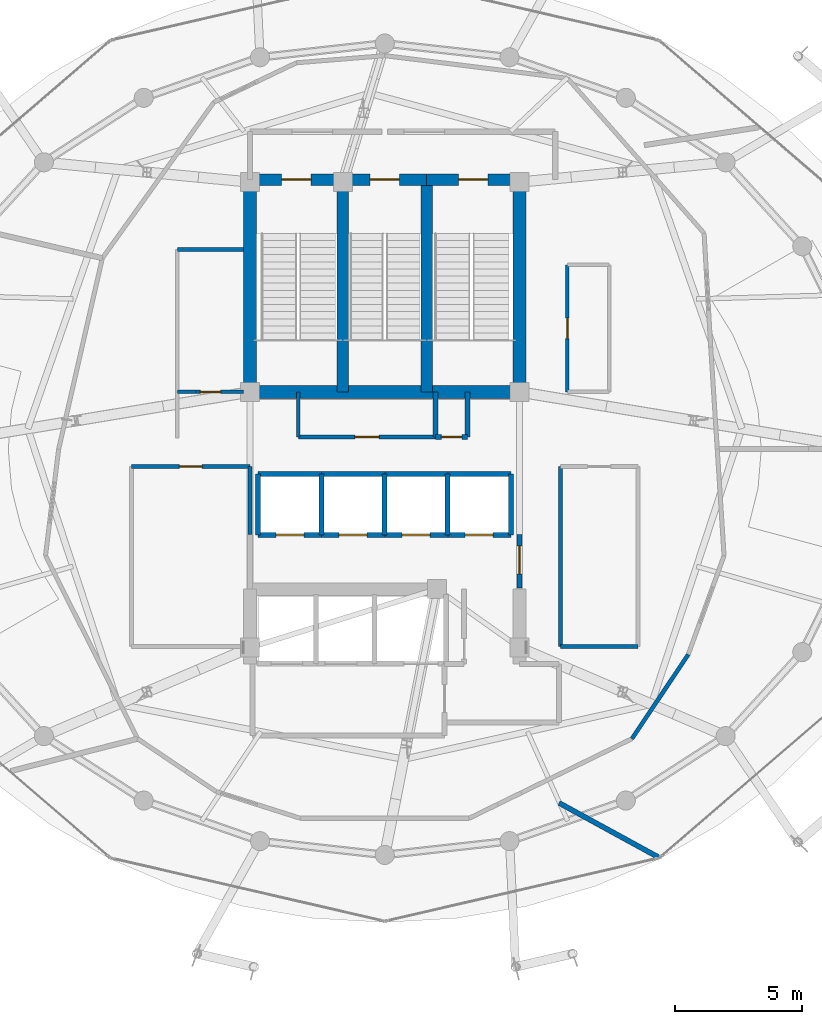
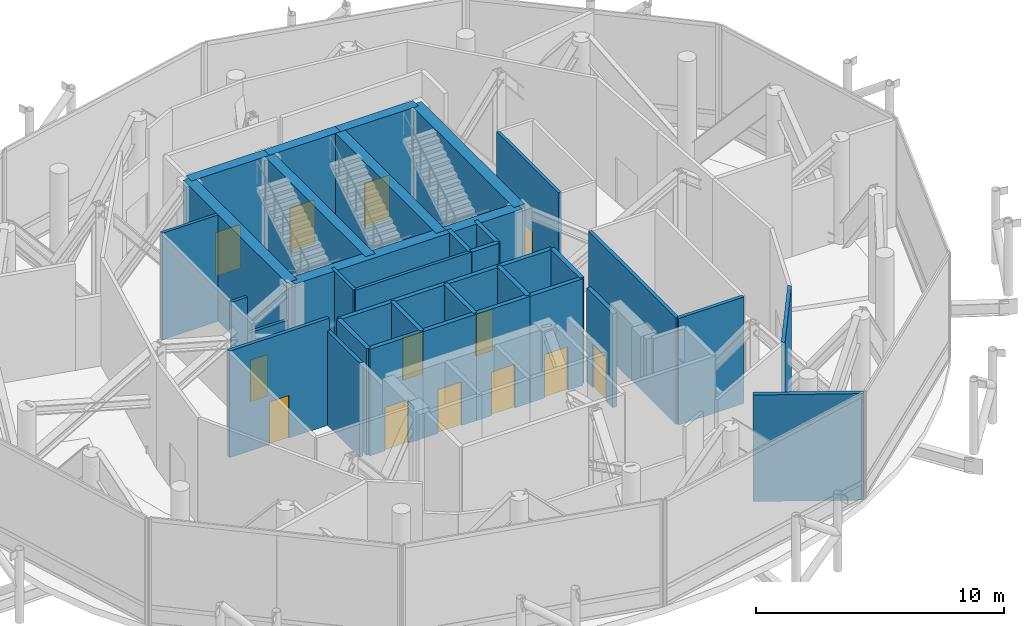
# One storey, part 19 of 26: 37 walls, 13 doors, 13 openings.
"""IFC4 building model written with IfcOpenShell, lengths in metres."""

from ifc_helpers import new_model, si_unit, direction, frame, frame_2d, origin, place, context, subcontext, project, spatial, rectangle, extrude, material, layer, layer_set, type_object, element, fill, save


model = new_model("IFC4")

# Units and contexts
model_context = context("Model", 3, precision=1e-05, world=origin(), true_north=direction((0.0, 1.0)))
body_context = subcontext(model_context, "Body", "Model", "MODEL_VIEW")
ifc_project = project(units=[si_unit("LENGTHUNIT", "METRE"), si_unit("AREAUNIT", "SQUARE_METRE"), si_unit("VOLUMEUNIT", "CUBIC_METRE"), si_unit("PLANEANGLEUNIT", "RADIAN"), si_unit("MASSUNIT", "GRAM", prefix="KILO")], contexts=[model_context])

# Site, building, storey
site_placement = place(None, origin())
site = spatial("IfcSite", under=ifc_project, at=site_placement, CompositionType="ELEMENT")
building_placement = place(site_placement, origin())
building = spatial("IfcBuilding", under=site, at=building_placement, Name="Nuhasar Tower", CompositionType="ELEMENT")
storey_placement = place(building_placement, frame((0.0, 0.0, 301.199951171875)))
storey = spatial("IfcBuildingStorey", under=building, at=storey_placement, Name="L75", CompositionType="ELEMENT", Elevation=301.199951171875)

# Wall, opening, door
ifc_material_1 = material(Name="Concrete C50/60", Category="concrete")
ifc_layer_1 = layer(ifc_material_1, 0.449951171875)
ifc_layer_set_1 = layer_set([ifc_layer_1], Name="Concrete C50/60")
wall_type_1 = type_object("IfcWallType", Name="WL-CORE-450", PredefinedType="SHEAR", material=ifc_layer_set_1)
wall_1_placement = place(storey_placement, frame((37.35009765625, 37.39990234375, 0.0), z_axis=(0.0, 0.0, 1.0), x_axis=(-1.0, 0.0, 0.0)))
wall_1 = element("IfcWall", 1, at=wall_1_placement, inside=storey, type_object=wall_type_1, Name="L75 Stairwell Shear Wall ST01-N", PredefinedType="SHEAR", context=body_context, shape_type="SweptSolid", body=[
    extrude(rectangle(XDim=3.650146484375, YDim=0.449951171875, at=frame_2d((1.8251953125, 0.0))), origin(), (0.0, 0.0, 1.0), 5.25),
])
opening_1_placement = place(wall_1_placement, frame((1.25, 0.0, 0.0)))
opening_1 = element("IfcOpeningElement", 2, at=opening_1_placement, cuts=wall_1, Name="Opening DS-01", PredefinedType="OPENING", context=body_context, shape_type="SweptSolid", body=[
    extrude(rectangle(XDim=1.14990234375, YDim=2.14990234375, at=frame_2d((0.574951171875, 1.074951171875))), frame((0.0, 0.23486328125, 0.0), z_axis=(0.0, -1.0, 0.0), x_axis=(1.0, 0.0, 0.0)), (0.0, 0.0, 1.0), 0.469970703125),
])
ifc_material_2 = material(Name="Steel S355", Category="steel")
door_type_1 = type_object("IfcDoorType", Name="DR-STAIR-FD120-1150", OperationType="NOTDEFINED", PredefinedType="DOOR", material=ifc_material_2)
door_1_placement = place(opening_1_placement, origin())
door_1 = element("IfcDoor", 3, at=door_1_placement, inside=storey, type_object=door_type_1, Name="L75 Exit Stair ST-01 Door", OperationType="SINGLE_SWING_RIGHT", OverallHeight=2.14990234375, OverallWidth=1.14990234375, PredefinedType="DOOR", context=body_context, shape_type="SweptSolid", body=[
    extrude(rectangle(XDim=1.14990234375, YDim=2.14990234375, at=frame_2d((0.574951171875, 1.074951171875))), frame((0.0, 0.02490234375, 0.0), z_axis=(0.0, -1.0, 0.0), x_axis=(1.0, 0.0, 0.0)), (0.0, 0.0, 1.0), 0.050048828125),
])
fill(opening_1, door_1)

# Wall
wall_2_placement = place(storey_placement, frame((37.35009765625, 29.050048828125, 0.0), z_axis=(0.0, 0.0, 1.0), x_axis=(0.0, 1.0, 0.0)))
element("IfcWall", 4, at=wall_2_placement, inside=storey, type_object=wall_type_1, Name="L75 Stairwell Shear Wall ST01-E", PredefinedType="SHEAR", context=body_context, shape_type="SweptSolid", body=[
    extrude(rectangle(XDim=8.349853515625, YDim=0.449951171875, at=frame_2d((4.1748046875, 0.0))), origin(), (0.0, 0.0, 1.0), 5.25),
])

# Wall, opening, door
wall_3_placement = place(storey_placement, frame((40.64990234375, 37.39990234375, 0.0), z_axis=(0.0, 0.0, 1.0), x_axis=(-1.0, 0.0, 0.0)))
wall_3 = element("IfcWall", 5, at=wall_3_placement, inside=storey, type_object=wall_type_1, Name="L75 Stairwell Shear Wall ST03-N", PredefinedType="SHEAR", context=body_context, shape_type="SweptSolid", body=[
    extrude(rectangle(XDim=3.2998046875, YDim=0.449951171875, at=frame_2d((1.64990234375, 0.0))), origin(), (0.0, 0.0, 1.0), 5.25),
])
opening_2_placement = place(wall_3_placement, frame((1.074951171875, 0.0, 0.0)))
opening_2 = element("IfcOpeningElement", 6, at=opening_2_placement, cuts=wall_3, Name="Opening DS-01", PredefinedType="OPENING", context=body_context, shape_type="SweptSolid", body=[
    extrude(rectangle(XDim=1.14990234375, YDim=2.14990234375, at=frame_2d((0.574951171875, 1.074951171875))), frame((0.0, 0.23486328125, 0.0), z_axis=(0.0, -1.0, 0.0), x_axis=(1.0, 0.0, 0.0)), (0.0, 0.0, 1.0), 0.469970703125),
])
door_2_placement = place(opening_2_placement, origin())
door_2 = element("IfcDoor", 7, at=door_2_placement, inside=storey, type_object=door_type_1, Name="L75 Exit Stair ST-03 Door", OperationType="SINGLE_SWING_RIGHT", OverallHeight=2.14990234375, OverallWidth=1.14990234375, PredefinedType="DOOR", context=body_context, shape_type="SweptSolid", body=[
    extrude(rectangle(XDim=1.14990234375, YDim=2.14990234375, at=frame_2d((0.574951171875, 1.074951171875))), frame((0.0, 0.02490234375, 0.0), z_axis=(0.0, -1.0, 0.0), x_axis=(1.0, 0.0, 0.0)), (0.0, 0.0, 1.0), 0.050048828125),
])
fill(opening_2, door_2)

# Wall
wall_4_placement = place(storey_placement, frame((40.64990234375, 29.050048828125, 0.0), z_axis=(0.0, 0.0, 1.0), x_axis=(0.0, 1.0, 0.0)))
element("IfcWall", 8, at=wall_4_placement, inside=storey, type_object=wall_type_1, Name="L75 Stairwell Shear Wall ST03-E", PredefinedType="SHEAR", context=body_context, shape_type="SweptSolid", body=[
    extrude(rectangle(XDim=8.349853515625, YDim=0.449951171875, at=frame_2d((4.1748046875, 0.0))), origin(), (0.0, 0.0, 1.0), 5.25),
])

# Wall, opening, door
wall_5_placement = place(storey_placement, frame((44.300048828125, 37.39990234375, 0.0), z_axis=(0.0, 0.0, 1.0), x_axis=(-1.0, 0.0, 0.0)))
wall_5 = element("IfcWall", 9, at=wall_5_placement, inside=storey, type_object=wall_type_1, Name="L75 Stairwell Shear Wall ST02-N", PredefinedType="SHEAR", context=body_context, shape_type="SweptSolid", body=[
    extrude(rectangle(XDim=3.650146484375, YDim=0.449951171875, at=frame_2d((1.8251953125, 0.0))), origin(), (0.0, 0.0, 1.0), 5.25),
])
opening_3_placement = place(wall_5_placement, frame((1.25, 0.0, 0.0)))
opening_3 = element("IfcOpeningElement", 10, at=opening_3_placement, cuts=wall_5, Name="Opening DS-01", PredefinedType="OPENING", context=body_context, shape_type="SweptSolid", body=[
    extrude(rectangle(XDim=1.14990234375, YDim=2.14990234375, at=frame_2d((0.574951171875, 1.074951171875))), frame((0.0, 0.23486328125, 0.0), z_axis=(0.0, -1.0, 0.0), x_axis=(1.0, 0.0, 0.0)), (0.0, 0.0, 1.0), 0.469970703125),
])
door_3_placement = place(opening_3_placement, origin())
door_3 = element("IfcDoor", 11, at=door_3_placement, inside=storey, type_object=door_type_1, Name="L75 Exit Stair ST-02 Door", OperationType="SINGLE_SWING_LEFT", OverallHeight=2.14990234375, OverallWidth=1.14990234375, PredefinedType="DOOR", context=body_context, shape_type="SweptSolid", body=[
    extrude(rectangle(XDim=1.14990234375, YDim=2.14990234375, at=frame_2d((0.574951171875, 1.074951171875))), frame((0.0, 0.02490234375, 0.0), z_axis=(0.0, -1.0, 0.0), x_axis=(1.0, 0.0, 0.0)), (0.0, 0.0, 1.0), 0.050048828125),
])
fill(opening_3, door_3)

# Walls
ifc_layer_2 = layer(ifc_material_1, 0.5)
ifc_layer_set_2 = layer_set([ifc_layer_2], Name="Concrete C50/60")
wall_type_2 = type_object("IfcWallType", Name="WL-CORE-500", PredefinedType="SHEAR", material=ifc_layer_set_2)
for number, where, z_axis, x_axis, name in (
    (12, (33.699951171875, 29.050048828125, 0.0), (0.0, 0.0, 1.0), (0.0, 1.0, 0.0), "L75 Core Shear Wall CW-NW CW-500"),
    (13, (44.300048828125, 29.050048828125, 0.0), (0.0, 0.0, 1.0), (0.0, 1.0, 0.0), "L75 Core Shear Wall CW-NE CW-500"),
):
    element("IfcWall", number, at=place(storey_placement, frame(where, z_axis=z_axis, x_axis=x_axis)), inside=storey, type_object=wall_type_2, Name=name, PredefinedType="SHEAR", context=body_context, shape_type="SweptSolid", body=[
        extrude(rectangle(XDim=8.349853515625, YDim=0.5, at=frame_2d((4.1748046875, 0.0))), origin(), (0.0, 0.0, 1.0), 5.25),
    ])
wall_6_placement = place(storey_placement, frame((33.699951171875, 29.050048828125, 0.0), z_axis=(0.0, 0.0, 1.0), x_axis=(1.0, 0.0, 0.0)))
element("IfcWall", 14, at=wall_6_placement, inside=storey, type_object=wall_type_2, Name="L75 Core Shear Wall CW-N1 CW-500", PredefinedType="SHEAR", context=body_context, shape_type="SweptSolid", body=[
    extrude(rectangle(XDim=10.60009765625, YDim=0.5, at=frame_2d((5.300048828125, 0.0))), origin(), (0.0, 0.0, 1.0), 5.25),
])
ifc_material_3 = material(Name="Gypsum Board", Category="gypsum")
ifc_layer_3 = layer(ifc_material_3, 0.159912109375)
ifc_layer_set_3 = layer_set([ifc_layer_3], Name="Gypsum Board")
wall_type_3 = type_object("IfcWallType", Name="WL-CORR-160", PredefinedType="PARTITIONING", material=ifc_layer_set_3)
wall_7_placement = place(storey_placement, frame((33.699951171875, 23.449951171875, 0.0), z_axis=(0.0, 0.0, 1.0), x_axis=(0.0, 1.0, 0.0)))
element("IfcWall", 15, at=wall_7_placement, inside=storey, type_object=wall_type_3, Name="L75 Interior Partition RECL-B1-E", PredefinedType="PARTITIONING", context=body_context, shape_type="SweptSolid", body=[
    extrude(rectangle(XDim=2.670166015625, YDim=0.159912109375, at=frame_2d((1.3349609375, 0.0))), origin(), (0.0, 0.0, 1.0), 4.635009765625),
])

# Wall, opening, door
wall_8_placement = place(storey_placement, frame((33.699951171875, 26.1201171875, 0.0), z_axis=(0.0, 0.0, 1.0), x_axis=(-1.0, 0.0, 0.0)))
wall_8 = element("IfcWall", 16, at=wall_8_placement, inside=storey, type_object=wall_type_3, Name="L75 Interior Partition RECL-B1-N", PredefinedType="PARTITIONING", context=body_context, shape_type="SweptSolid", body=[
    extrude(rectangle(XDim=4.64990234375, YDim=0.159912109375, at=frame_2d((2.324951171875, 0.0))), origin(), (0.0, 0.0, 1.0), 5.25),
])
opening_4_placement = place(wall_8_placement, frame((1.875, 0.0, 0.0)))
opening_4 = element("IfcOpeningElement", 17, at=opening_4_placement, cuts=wall_8, Name="Opening DR-01", PredefinedType="OPENING", context=body_context, shape_type="SweptSolid", body=[
    extrude(rectangle(XDim=0.89990234375, YDim=2.10009765625, at=frame_2d((0.449951171875, 1.050048828125))), frame((0.0, 0.08984375, 0.0), z_axis=(0.0, -1.0, 0.0), x_axis=(1.0, 0.0, 0.0)), (0.0, 0.0, 1.0), 0.179931640625),
])
ifc_material_4 = material(Name="Timber Oak", Category="wood")
door_type_2 = type_object("IfcDoorType", Name="DR-ROOM-900", OperationType="NOTDEFINED", PredefinedType="DOOR", material=ifc_material_4)
door_4_placement = place(opening_4_placement, origin())
door_4 = element("IfcDoor", 18, at=door_4_placement, inside=storey, type_object=door_type_2, Name="L75 Butler Store Door", OperationType="SINGLE_SWING_LEFT", OverallHeight=2.10009765625, OverallWidth=0.89990234375, PredefinedType="DOOR", context=body_context, shape_type="SweptSolid", body=[
    extrude(rectangle(XDim=0.89990234375, YDim=2.10009765625, at=frame_2d((0.449951171875, 1.050048828125))), frame((0.0, 0.02490234375, 0.0), z_axis=(0.0, -1.0, 0.0), x_axis=(1.0, 0.0, 0.0)), (0.0, 0.0, 1.0), 0.050048828125),
])
fill(opening_4, door_4)

# Walls
wall_9_placement = place(storey_placement, frame((45.89990234375, 19.050048828125, 0.0), z_axis=(0.0, 0.0, 1.0), x_axis=(1.0, 0.0, 0.0)))
element("IfcWall", 19, at=wall_9_placement, inside=storey, type_object=wall_type_3, Name="L75 Interior Partition RECL-B2-S", PredefinedType="PARTITIONING", context=body_context, shape_type="SweptSolid", body=[
    extrude(rectangle(XDim=3.050048828125, YDim=0.159912109375, at=frame_2d((1.52490234375, 0.0))), origin(), (0.0, 0.0, 1.0), 5.25),
])
wall_10_placement = place(storey_placement, frame((45.89990234375, 19.050048828125, 0.0), z_axis=(0.0, 0.0, 1.0), x_axis=(0.0, 1.0, 0.0)))
element("IfcWall", 20, at=wall_10_placement, inside=storey, type_object=wall_type_3, Name="L75 Interior Partition RECL-B2-W", PredefinedType="PARTITIONING", context=body_context, shape_type="SweptSolid", body=[
    extrude(rectangle(XDim=7.070068359375, YDim=0.159912109375, at=frame_2d((3.53515625, 0.0))), origin(), (0.0, 0.0, 1.0), 5.25),
])
wall_11_placement = place(storey_placement, frame((48.714111328125, 15.41796875, 0.0), z_axis=(0.0, 0.0, 1.0), x_axis=(0.556056751682, 0.831144324958, 0.0)))
element("IfcWall", 21, at=wall_11_placement, inside=storey, type_object=wall_type_3, Name="L75 Interior Partition CORR-42", PredefinedType="PARTITIONING", context=body_context, shape_type="SweptSolid", body=[
    extrude(rectangle(XDim=3.98486328125, YDim=0.159912109375, at=frame_2d((1.992431640625, 0.0))), origin(), (0.0, 0.0, 1.0), 5.25),
])

# Wall, opening, door
ifc_material_5 = material(Name="Concrete C45/55", Category="concrete")
ifc_layer_4 = layer(ifc_material_5, 0.199951171875)
ifc_layer_set_4 = layer_set([ifc_layer_4], Name="Concrete C45/55")
wall_type_4 = type_object("IfcWallType", Name="WL-LOBBY-200", PredefinedType="SOLIDWALL", material=ifc_layer_set_4)
wall_12_placement = place(storey_placement, frame((44.300048828125, 21.35009765625, 0.0), z_axis=(0.0, 0.0, 1.0), x_axis=(0.0, 1.0, 0.0)))
wall_12 = element("IfcWall", 22, at=wall_12_placement, inside=storey, type_object=wall_type_4, Name="L75 Interior Partition LLBH-E", PredefinedType="SOLIDWALL", context=body_context, shape_type="SweptSolid", body=[
    extrude(rectangle(XDim=2.099853515625, YDim=0.199951171875, at=frame_2d((1.0498046875, 0.0))), origin(), (0.0, 0.0, 1.0), 4.635009765625),
])
opening_5_placement = place(wall_12_placement, frame((0.550048828125, 0.0, 0.0)))
opening_5 = element("IfcOpeningElement", 23, at=opening_5_placement, cuts=wall_12, Name="Opening DS-02", PredefinedType="OPENING", context=body_context, shape_type="SweptSolid", body=[
    extrude(rectangle(XDim=1.10009765625, YDim=2.14990234375, at=frame_2d((0.550048828125, 1.074951171875))), frame((0.0, 0.10986328125, 0.0), z_axis=(0.0, -1.0, 0.0), x_axis=(1.0, 0.0, 0.0)), (0.0, 0.0, 1.0), 0.219970703125),
])
door_type_3 = type_object("IfcDoorType", Name="DR-FFL-FD120-1100", OperationType="NOTDEFINED", PredefinedType="DOOR", material=ifc_material_2)
door_5_placement = place(opening_5_placement, origin())
door_5 = element("IfcDoor", 24, at=door_5_placement, inside=storey, type_object=door_type_3, Name="L75 High-Rise Lobby East Door", OperationType="SINGLE_SWING_RIGHT", OverallHeight=2.14990234375, OverallWidth=1.10009765625, PredefinedType="DOOR", context=body_context, shape_type="SweptSolid", body=[
    extrude(rectangle(XDim=1.10009765625, YDim=2.14990234375, at=frame_2d((0.550048828125, 1.074951171875))), frame((0.0, 0.02490234375, 0.0), z_axis=(0.0, -1.0, 0.0), x_axis=(1.0, 0.0, 0.0)), (0.0, 0.0, 1.0), 0.050048828125),
])
fill(opening_5, door_5)

# Walls
wall_13_placement = place(storey_placement, frame((45.85205078125, 12.89501953125, 0.0), z_axis=(0.0, 0.0, 1.0), x_axis=(0.877449312493, -0.479669369468, 0.0)))
element("IfcWall", 25, at=wall_13_placement, inside=storey, type_object=wall_type_4, Name="L75 Interior Partition WRAD-40", PredefinedType="SOLIDWALL", context=body_context, shape_type="SweptSolid", body=[
    extrude(rectangle(XDim=4.45703125, YDim=0.199951171875, at=frame_2d((2.228515625, 0.0))), origin(), (0.0, 0.0, 1.0), 5.25),
])
ifc_layer_5 = layer(ifc_material_5, 0.199951171875)
ifc_layer_set_5 = layer_set([ifc_layer_5], Name="Concrete C45/55")
wall_type_5 = type_object("IfcWallType", Name="WL-SHAFT-200", PredefinedType="SOLIDWALL", material=ifc_layer_set_5)
for number, where, z_axis, x_axis, name in (
    (26, (41.0, 27.280029296875, 0.0), (0.0, 0.0, 1.0), (0.0, 1.0, 0.0), "L75 Interior Partition RSRN-W"),
    (27, (42.260009765625, 27.280029296875, 0.0), (0.0, 0.0, 1.0), (0.0, 1.0, 0.0), "L75 Interior Partition RSRN-E"),
):
    element("IfcWall", number, at=place(storey_placement, frame(where, z_axis=z_axis, x_axis=x_axis)), inside=storey, type_object=wall_type_5, Name=name, PredefinedType="SOLIDWALL", context=body_context, shape_type="SweptSolid", body=[
        extrude(rectangle(XDim=1.77001953125, YDim=0.199951171875, at=frame_2d((0.885009765625, 0.0))), origin(), (0.0, 0.0, 1.0), 5.25),
    ])

# Wall, opening, door
wall_14_placement = place(storey_placement, frame((41.0, 27.280029296875, 0.0), z_axis=(0.0, 0.0, 1.0), x_axis=(1.0, 0.0, 0.0)))
wall_14 = element("IfcWall", 28, at=wall_14_placement, inside=storey, type_object=wall_type_5, Name="L75 Interior Partition RSRN-S", PredefinedType="SOLIDWALL", context=body_context, shape_type="SweptSolid", body=[
    extrude(rectangle(XDim=1.260009765625, YDim=0.199951171875, at=frame_2d((0.6298828125, 0.0))), origin(), (0.0, 0.0, 1.0), 5.25),
])
opening_6_placement = place(wall_14_placement, frame((0.22998046875, 0.0, 0.0)))
opening_6 = element("IfcOpeningElement", 29, at=opening_6_placement, cuts=wall_14, Name="Opening DM-01", PredefinedType="OPENING", context=body_context, shape_type="SweptSolid", body=[
    extrude(rectangle(XDim=0.800048828125, YDim=2.050048828125, at=frame_2d((0.39990234375, 1.02490234375))), frame((0.0, 0.10986328125, 0.0), z_axis=(0.0, -1.0, 0.0), x_axis=(1.0, 0.0, 0.0)), (0.0, 0.0, 1.0), 0.219970703125),
])
door_type_4 = type_object("IfcDoorType", Name="DR-RISER-FD60-800", OperationType="NOTDEFINED", PredefinedType="DOOR", material=ifc_material_2)
door_6_placement = place(opening_6_placement, origin())
door_6 = element("IfcDoor", 30, at=door_6_placement, inside=storey, type_object=door_type_4, Name="L75 North Smoke Riser Door", OperationType="SINGLE_SWING_RIGHT", OverallHeight=2.050048828125, OverallWidth=0.800048828125, PredefinedType="DOOR", context=body_context, shape_type="SweptSolid", body=[
    extrude(rectangle(XDim=0.800048828125, YDim=2.050048828125, at=frame_2d((0.39990234375, 1.02490234375))), frame((0.0, 0.02490234375, 0.0), z_axis=(0.0, -1.0, 0.0), x_axis=(1.0, 0.0, 0.0)), (0.0, 0.0, 1.0), 0.050048828125),
])
fill(opening_6, door_6)

wall_15_placement = place(storey_placement, frame((34.02001953125, 23.419921875, 0.0), z_axis=(0.0, 0.0, 1.0), x_axis=(1.0, 0.0, 0.0)))
wall_15 = element("IfcWall", 31, at=wall_15_placement, inside=storey, type_object=wall_type_5, Name="L75 Interior Partition SHF-PL-H01-S", PredefinedType="SOLIDWALL", context=body_context, shape_type="SweptSolid", body=[
    extrude(rectangle(XDim=2.5, YDim=0.199951171875, at=frame_2d((1.25, 0.0))), origin(), (0.0, 0.0, 1.0), 5.25),
])
opening_7_placement = place(wall_15_placement, frame((0.699951171875, 0.0, 0.0)))
opening_7 = element("IfcOpeningElement", 32, at=opening_7_placement, cuts=wall_15, Name="Opening LD-H01", PredefinedType="OPENING", context=body_context, shape_type="SweptSolid", body=[
    extrude(rectangle(XDim=1.10009765625, YDim=2.14990234375, at=frame_2d((0.550048828125, 1.074951171875))), frame((0.0, 0.10986328125, 0.0), z_axis=(0.0, -1.0, 0.0), x_axis=(1.0, 0.0, 0.0)), (0.0, 0.0, 1.0), 0.219970703125),
])
ifc_material_6 = material(Name="Stainless Steel 316L", Category="steel")
door_type_5 = type_object("IfcDoorType", Name="LD-PAX-1100", OperationType="DOUBLE_DOOR_SLIDING", PredefinedType="DOOR", material=ifc_material_6)
door_7_placement = place(opening_7_placement, origin())
door_7 = element("IfcDoor", 33, at=door_7_placement, inside=storey, type_object=door_type_5, Name="L75 Lift Landing Door PL-H01", OperationType="DOUBLE_DOOR_SLIDING", OverallHeight=2.14990234375, OverallWidth=1.10009765625, PredefinedType="DOOR", context=body_context, shape_type="SweptSolid", body=[
    extrude(rectangle(XDim=1.10009765625, YDim=2.14990234375, at=frame_2d((0.550048828125, 1.074951171875))), frame((0.0, 0.02490234375, 0.0), z_axis=(0.0, -1.0, 0.0), x_axis=(1.0, 0.0, 0.0)), (0.0, 0.0, 1.0), 0.050048828125),
])
fill(opening_7, door_7)

# Walls
wall_16_placement = place(storey_placement, frame((34.02001953125, 25.830078125, 0.0), z_axis=(0.0, 0.0, 1.0), x_axis=(1.0, 0.0, 0.0)))
element("IfcWall", 34, at=wall_16_placement, inside=storey, type_object=wall_type_5, Name="L75 Interior Partition SHF-PL-H01-N", PredefinedType="SOLIDWALL", context=body_context, shape_type="SweptSolid", body=[
    extrude(rectangle(XDim=2.5, YDim=0.199951171875, at=frame_2d((1.25, 0.0))), origin(), (0.0, 0.0, 1.0), 5.25),
])
for number, where, z_axis, x_axis, name in (
    (35, (34.02001953125, 23.419921875, 0.0), (0.0, 0.0, 1.0), (0.0, 1.0, 0.0), "L75 Interior Partition SHF-PL-H01-W"),
    (36, (36.510009765625, 23.419921875, 0.0), (0.0, 0.0, 1.0), (0.0, 1.0, 0.0), "L75 Interior Partition SHF-PL-H01-E"),
):
    element("IfcWall", number, at=place(storey_placement, frame(where, z_axis=z_axis, x_axis=x_axis)), inside=storey, type_object=wall_type_5, Name=name, PredefinedType="SOLIDWALL", context=body_context, shape_type="SweptSolid", body=[
        extrude(rectangle(XDim=2.41015625, YDim=0.199951171875, at=frame_2d((1.205078125, 0.0))), origin(), (0.0, 0.0, 1.0), 5.25),
    ])

# Wall, opening, door
wall_17_placement = place(storey_placement, frame((36.5, 23.419921875, 0.0), z_axis=(0.0, 0.0, 1.0), x_axis=(1.0, 0.0, 0.0)))
wall_17 = element("IfcWall", 37, at=wall_17_placement, inside=storey, type_object=wall_type_5, Name="L75 Interior Partition SHF-PL-H02-S", PredefinedType="SOLIDWALL", context=body_context, shape_type="SweptSolid", body=[
    extrude(rectangle(XDim=2.5, YDim=0.199951171875, at=frame_2d((1.25, 0.0))), origin(), (0.0, 0.0, 1.0), 5.25),
])
opening_8_placement = place(wall_17_placement, frame((0.699951171875, 0.0, 0.0)))
opening_8 = element("IfcOpeningElement", 38, at=opening_8_placement, cuts=wall_17, Name="Opening LD-H02", PredefinedType="OPENING", context=body_context, shape_type="SweptSolid", body=[
    extrude(rectangle(XDim=1.10009765625, YDim=2.14990234375, at=frame_2d((0.550048828125, 1.074951171875))), frame((0.0, 0.10986328125, 0.0), z_axis=(0.0, -1.0, 0.0), x_axis=(1.0, 0.0, 0.0)), (0.0, 0.0, 1.0), 0.219970703125),
])
door_8_placement = place(opening_8_placement, origin())
door_8 = element("IfcDoor", 39, at=door_8_placement, inside=storey, type_object=door_type_5, Name="L75 Lift Landing Door PL-H02", OperationType="DOUBLE_DOOR_SLIDING", OverallHeight=2.14990234375, OverallWidth=1.10009765625, PredefinedType="DOOR", context=body_context, shape_type="SweptSolid", body=[
    extrude(rectangle(XDim=1.10009765625, YDim=2.14990234375, at=frame_2d((0.550048828125, 1.074951171875))), frame((0.0, 0.02490234375, 0.0), z_axis=(0.0, -1.0, 0.0), x_axis=(1.0, 0.0, 0.0)), (0.0, 0.0, 1.0), 0.050048828125),
])
fill(opening_8, door_8)

# Walls
wall_18_placement = place(storey_placement, frame((36.5, 25.830078125, 0.0), z_axis=(0.0, 0.0, 1.0), x_axis=(1.0, 0.0, 0.0)))
element("IfcWall", 40, at=wall_18_placement, inside=storey, type_object=wall_type_5, Name="L75 Interior Partition SHF-PL-H02-N", PredefinedType="SOLIDWALL", context=body_context, shape_type="SweptSolid", body=[
    extrude(rectangle(XDim=2.5, YDim=0.199951171875, at=frame_2d((1.25, 0.0))), origin(), (0.0, 0.0, 1.0), 5.25),
])
wall_19_placement = place(storey_placement, frame((38.989990234375, 23.419921875, 0.0), z_axis=(0.0, 0.0, 1.0), x_axis=(0.0, 1.0, 0.0)))
element("IfcWall", 41, at=wall_19_placement, inside=storey, type_object=wall_type_5, Name="L75 Interior Partition SHF-PL-H02-E", PredefinedType="SOLIDWALL", context=body_context, shape_type="SweptSolid", body=[
    extrude(rectangle(XDim=2.41015625, YDim=0.199951171875, at=frame_2d((1.205078125, 0.0))), origin(), (0.0, 0.0, 1.0), 5.25),
])

# Wall, opening, door
wall_20_placement = place(storey_placement, frame((38.97998046875, 23.419921875, 0.0), z_axis=(0.0, 0.0, 1.0), x_axis=(1.0, 0.0, 0.0)))
wall_20 = element("IfcWall", 42, at=wall_20_placement, inside=storey, type_object=wall_type_5, Name="L75 Interior Partition SHF-PL-H03-S", PredefinedType="SOLIDWALL", context=body_context, shape_type="SweptSolid", body=[
    extrude(rectangle(XDim=2.5, YDim=0.199951171875, at=frame_2d((1.25, 0.0))), origin(), (0.0, 0.0, 1.0), 5.25),
])
opening_9_placement = place(wall_20_placement, frame((0.699951171875, 0.0, 0.0)))
opening_9 = element("IfcOpeningElement", 43, at=opening_9_placement, cuts=wall_20, Name="Opening LD-H03", PredefinedType="OPENING", context=body_context, shape_type="SweptSolid", body=[
    extrude(rectangle(XDim=1.10009765625, YDim=2.14990234375, at=frame_2d((0.550048828125, 1.074951171875))), frame((0.0, 0.10986328125, 0.0), z_axis=(0.0, -1.0, 0.0), x_axis=(1.0, 0.0, 0.0)), (0.0, 0.0, 1.0), 0.219970703125),
])
door_9_placement = place(opening_9_placement, origin())
door_9 = element("IfcDoor", 44, at=door_9_placement, inside=storey, type_object=door_type_5, Name="L75 Lift Landing Door PL-H03", OperationType="DOUBLE_DOOR_SLIDING", OverallHeight=2.14990234375, OverallWidth=1.10009765625, PredefinedType="DOOR", context=body_context, shape_type="SweptSolid", body=[
    extrude(rectangle(XDim=1.10009765625, YDim=2.14990234375, at=frame_2d((0.550048828125, 1.074951171875))), frame((0.0, 0.02490234375, 0.0), z_axis=(0.0, -1.0, 0.0), x_axis=(1.0, 0.0, 0.0)), (0.0, 0.0, 1.0), 0.050048828125),
])
fill(opening_9, door_9)

# Walls
wall_21_placement = place(storey_placement, frame((38.97998046875, 25.830078125, 0.0), z_axis=(0.0, 0.0, 1.0), x_axis=(1.0, 0.0, 0.0)))
element("IfcWall", 45, at=wall_21_placement, inside=storey, type_object=wall_type_5, Name="L75 Interior Partition SHF-PL-H03-N", PredefinedType="SOLIDWALL", context=body_context, shape_type="SweptSolid", body=[
    extrude(rectangle(XDim=2.5, YDim=0.199951171875, at=frame_2d((1.25, 0.0))), origin(), (0.0, 0.0, 1.0), 5.25),
])
wall_22_placement = place(storey_placement, frame((41.469970703125, 23.419921875, 0.0), z_axis=(0.0, 0.0, 1.0), x_axis=(0.0, 1.0, 0.0)))
element("IfcWall", 46, at=wall_22_placement, inside=storey, type_object=wall_type_5, Name="L75 Interior Partition SHF-PL-H03-E", PredefinedType="SOLIDWALL", context=body_context, shape_type="SweptSolid", body=[
    extrude(rectangle(XDim=2.41015625, YDim=0.199951171875, at=frame_2d((1.205078125, 0.0))), origin(), (0.0, 0.0, 1.0), 5.25),
])

# Wall, opening, door
wall_23_placement = place(storey_placement, frame((41.4599609375, 23.419921875, 0.0), z_axis=(0.0, 0.0, 1.0), x_axis=(1.0, 0.0, 0.0)))
wall_23 = element("IfcWall", 47, at=wall_23_placement, inside=storey, type_object=wall_type_5, Name="L75 Interior Partition SHF-PL-H04-S", PredefinedType="SOLIDWALL", context=body_context, shape_type="SweptSolid", body=[
    extrude(rectangle(XDim=2.5, YDim=0.199951171875, at=frame_2d((1.25, 0.0))), origin(), (0.0, 0.0, 1.0), 5.25),
])
opening_10_placement = place(wall_23_placement, frame((0.699951171875, 0.0, 0.0)))
opening_10 = element("IfcOpeningElement", 48, at=opening_10_placement, cuts=wall_23, Name="Opening LD-H04", PredefinedType="OPENING", context=body_context, shape_type="SweptSolid", body=[
    extrude(rectangle(XDim=1.10009765625, YDim=2.14990234375, at=frame_2d((0.550048828125, 1.074951171875))), frame((0.0, 0.10986328125, 0.0), z_axis=(0.0, -1.0, 0.0), x_axis=(1.0, 0.0, 0.0)), (0.0, 0.0, 1.0), 0.219970703125),
])
door_10_placement = place(opening_10_placement, origin())
door_10 = element("IfcDoor", 49, at=door_10_placement, inside=storey, type_object=door_type_5, Name="L75 Lift Landing Door PL-H04", OperationType="DOUBLE_DOOR_SLIDING", OverallHeight=2.14990234375, OverallWidth=1.10009765625, PredefinedType="DOOR", context=body_context, shape_type="SweptSolid", body=[
    extrude(rectangle(XDim=1.10009765625, YDim=2.14990234375, at=frame_2d((0.550048828125, 1.074951171875))), frame((0.0, 0.02490234375, 0.0), z_axis=(0.0, -1.0, 0.0), x_axis=(1.0, 0.0, 0.0)), (0.0, 0.0, 1.0), 0.050048828125),
])
fill(opening_10, door_10)

# Walls
wall_24_placement = place(storey_placement, frame((41.4599609375, 25.830078125, 0.0), z_axis=(0.0, 0.0, 1.0), x_axis=(1.0, 0.0, 0.0)))
element("IfcWall", 50, at=wall_24_placement, inside=storey, type_object=wall_type_5, Name="L75 Interior Partition SHF-PL-H04-N", PredefinedType="SOLIDWALL", context=body_context, shape_type="SweptSolid", body=[
    extrude(rectangle(XDim=2.5, YDim=0.199951171875, at=frame_2d((1.25, 0.0))), origin(), (0.0, 0.0, 1.0), 5.25),
])
wall_25_placement = place(storey_placement, frame((43.9599609375, 23.419921875, 0.0), z_axis=(0.0, 0.0, 1.0), x_axis=(0.0, 1.0, 0.0)))
element("IfcWall", 51, at=wall_25_placement, inside=storey, type_object=wall_type_5, Name="L75 Interior Partition SHF-PL-H04-E", PredefinedType="SOLIDWALL", context=body_context, shape_type="SweptSolid", body=[
    extrude(rectangle(XDim=2.41015625, YDim=0.199951171875, at=frame_2d((1.205078125, 0.0))), origin(), (0.0, 0.0, 1.0), 5.25),
])
ifc_material_7 = material(Name="Concrete C40/50 precast", Category="concrete")
ifc_layer_6 = layer(ifc_material_7, 0.139892578125)
ifc_layer_set_6 = layer_set([ifc_layer_6], Name="Concrete C40/50 precast")
wall_type_6 = type_object("IfcWallType", Name="WL-WET-140", PredefinedType="PARTITIONING", material=ifc_layer_set_6)
wall_26_placement = place(storey_placement, frame((35.60009765625, 27.280029296875, 0.0), z_axis=(0.0, 0.0, 1.0), x_axis=(0.0, 1.0, 0.0)))
element("IfcWall", 52, at=wall_26_placement, inside=storey, type_object=wall_type_6, Name="L75 Interior Partition CSVC-W", PredefinedType="PARTITIONING", context=body_context, shape_type="SweptSolid", body=[
    extrude(rectangle(XDim=1.77001953125, YDim=0.139892578125, at=frame_2d((0.885009765625, 0.0))), origin(), (0.0, 0.0, 1.0), 5.25),
])

# Wall, opening, door
wall_27_placement = place(storey_placement, frame((35.60009765625, 27.280029296875, 0.0), z_axis=(0.0, 0.0, 1.0), x_axis=(1.0, 0.0, 0.0)))
wall_27 = element("IfcWall", 53, at=wall_27_placement, inside=storey, type_object=wall_type_6, Name="L75 Interior Partition CSVC-S", PredefinedType="PARTITIONING", context=body_context, shape_type="SweptSolid", body=[
    extrude(rectangle(XDim=5.39990234375, YDim=0.139892578125, at=frame_2d((2.699951171875, 0.0))), origin(), (0.0, 0.0, 1.0), 5.25),
])
opening_11_placement = place(wall_27_placement, frame((2.22509765625, 0.0, 0.0)))
opening_11 = element("IfcOpeningElement", 54, at=opening_11_placement, cuts=wall_27, Name="Opening DA-01", PredefinedType="OPENING", context=body_context, shape_type="SweptSolid", body=[
    extrude(rectangle(XDim=0.949951171875, YDim=2.10009765625, at=frame_2d((0.47509765625, 1.050048828125))), frame((0.0, 0.080078125, 0.0), z_axis=(0.0, -1.0, 0.0), x_axis=(1.0, 0.0, 0.0)), (0.0, 0.0, 1.0), 0.159912109375),
])
door_type_6 = type_object("IfcDoorType", Name="DR-ACCWC-950", OperationType="NOTDEFINED", PredefinedType="DOOR", material=ifc_material_4)
door_11_placement = place(opening_11_placement, origin())
door_11 = element("IfcDoor", 55, at=door_11_placement, inside=storey, type_object=door_type_6, Name="L75 Core Accessible Restroom Door", OperationType="SINGLE_SWING_RIGHT", OverallHeight=2.10009765625, OverallWidth=0.949951171875, PredefinedType="DOOR", context=body_context, shape_type="SweptSolid", body=[
    extrude(rectangle(XDim=0.949951171875, YDim=2.10009765625, at=frame_2d((0.47509765625, 1.050048828125))), frame((0.0, 0.02490234375, 0.0), z_axis=(0.0, -1.0, 0.0), x_axis=(1.0, 0.0, 0.0)), (0.0, 0.0, 1.0), 0.050048828125),
])
fill(opening_11, door_11)

# Wall
wall_28_placement = place(storey_placement, frame((30.85009765625, 29.050048828125, 0.0), z_axis=(0.0, 0.0, 1.0), x_axis=(1.0, 0.0, 0.0)))
element("IfcWall", 56, at=wall_28_placement, inside=storey, type_object=wall_type_6, Name="L75 Interior Partition K3-NW-S", PredefinedType="PARTITIONING", context=body_context, shape_type="SweptSolid", body=[
    extrude(rectangle(XDim=0.73388671875, YDim=0.139892578125, at=frame_2d((0.366943359375, 0.0))), origin(), (0.0, 0.0, 1.0), 5.25),
])

# Wall, opening, door
wall_29_placement = place(storey_placement, frame((31.583984375, 29.050048828125, 0.0), z_axis=(0.0, 0.0, 1.0), x_axis=(1.0, 0.0, 0.0)))
wall_29 = element("IfcWall", 57, at=wall_29_placement, inside=storey, type_object=wall_type_6, Name="L75 Interior Partition K3-NW-S", PredefinedType="PARTITIONING", context=body_context, shape_type="SweptSolid", body=[
    extrude(rectangle(XDim=1.865966796875, YDim=0.139892578125, at=frame_2d((0.93310546875, 0.0))), origin(), (0.0, 0.0, 1.0), 3.449951171875),
])
opening_12_placement = place(wall_29_placement, frame((0.166015625, 0.0, 0.0)))
opening_12 = element("IfcOpeningElement", 58, at=opening_12_placement, cuts=wall_29, Name="Opening DM-01", PredefinedType="OPENING", context=body_context, shape_type="SweptSolid", body=[
    extrude(rectangle(XDim=0.800048828125, YDim=2.050048828125, at=frame_2d((0.39990234375, 1.02490234375))), frame((0.0, 0.080078125, 0.0), z_axis=(0.0, -1.0, 0.0), x_axis=(1.0, 0.0, 0.0)), (0.0, 0.0, 1.0), 0.159912109375),
])
door_12_placement = place(opening_12_placement, origin())
door_12 = element("IfcDoor", 59, at=door_12_placement, inside=storey, type_object=door_type_4, Name="L75 NW Electrical Room Door", OperationType="SINGLE_SWING_RIGHT", OverallHeight=2.050048828125, OverallWidth=0.800048828125, PredefinedType="DOOR", context=body_context, shape_type="SweptSolid", body=[
    extrude(rectangle(XDim=0.800048828125, YDim=2.050048828125, at=frame_2d((0.39990234375, 1.02490234375))), frame((0.0, 0.02490234375, 0.0), z_axis=(0.0, -1.0, 0.0), x_axis=(1.0, 0.0, 0.0)), (0.0, 0.0, 1.0), 0.050048828125),
])
fill(opening_12, door_12)

# Wall
wall_30_placement = place(storey_placement, frame((30.85009765625, 34.64990234375, 0.0), z_axis=(0.0, 0.0, 1.0), x_axis=(1.0, 0.0, 0.0)))
element("IfcWall", 60, at=wall_30_placement, inside=storey, type_object=wall_type_6, Name="L75 Interior Partition K3-NW-N", PredefinedType="PARTITIONING", context=body_context, shape_type="SweptSolid", body=[
    extrude(rectangle(XDim=2.599853515625, YDim=0.139892578125, at=frame_2d((1.2998046875, 0.0))), origin(), (0.0, 0.0, 1.0), 5.25),
])

# Wall, opening, door
wall_31_placement = place(storey_placement, frame((46.179931640625, 34.050048828125, 0.0), z_axis=(0.0, 0.0, 1.0), x_axis=(0.0, -1.0, 0.0)))
wall_31 = element("IfcWall", 61, at=wall_31_placement, inside=storey, type_object=wall_type_6, Name="L75 Interior Partition K3-NE-W", PredefinedType="PARTITIONING", context=body_context, shape_type="SweptSolid", body=[
    extrude(rectangle(XDim=5.0, YDim=0.139892578125, at=frame_2d((2.5, 0.0))), origin(), (0.0, 0.0, 1.0), 5.25),
])
opening_13_placement = place(wall_31_placement, frame((2.10009765625, 0.0, 0.0)))
opening_13 = element("IfcOpeningElement", 62, at=opening_13_placement, cuts=wall_31, Name="Opening DM-01", PredefinedType="OPENING", context=body_context, shape_type="SweptSolid", body=[
    extrude(rectangle(XDim=0.800048828125, YDim=2.050048828125, at=frame_2d((0.39990234375, 1.02490234375))), frame((0.0, 0.080078125, 0.0), z_axis=(0.0, -1.0, 0.0), x_axis=(1.0, 0.0, 0.0)), (0.0, 0.0, 1.0), 0.159912109375),
])
door_13_placement = place(opening_13_placement, origin())
door_13 = element("IfcDoor", 63, at=door_13_placement, inside=storey, type_object=door_type_4, Name="L75 NE Switchgear Room Door", OperationType="SINGLE_SWING_LEFT", OverallHeight=2.050048828125, OverallWidth=0.800048828125, PredefinedType="DOOR", context=body_context, shape_type="SweptSolid", body=[
    extrude(rectangle(XDim=0.800048828125, YDim=2.050048828125, at=frame_2d((0.39990234375, 1.02490234375))), frame((0.0, 0.02490234375, 0.0), z_axis=(0.0, -1.0, 0.0), x_axis=(1.0, 0.0, 0.0)), (0.0, 0.0, 1.0), 0.050048828125),
])
fill(opening_13, door_13)

save(model, "model.ifc")
